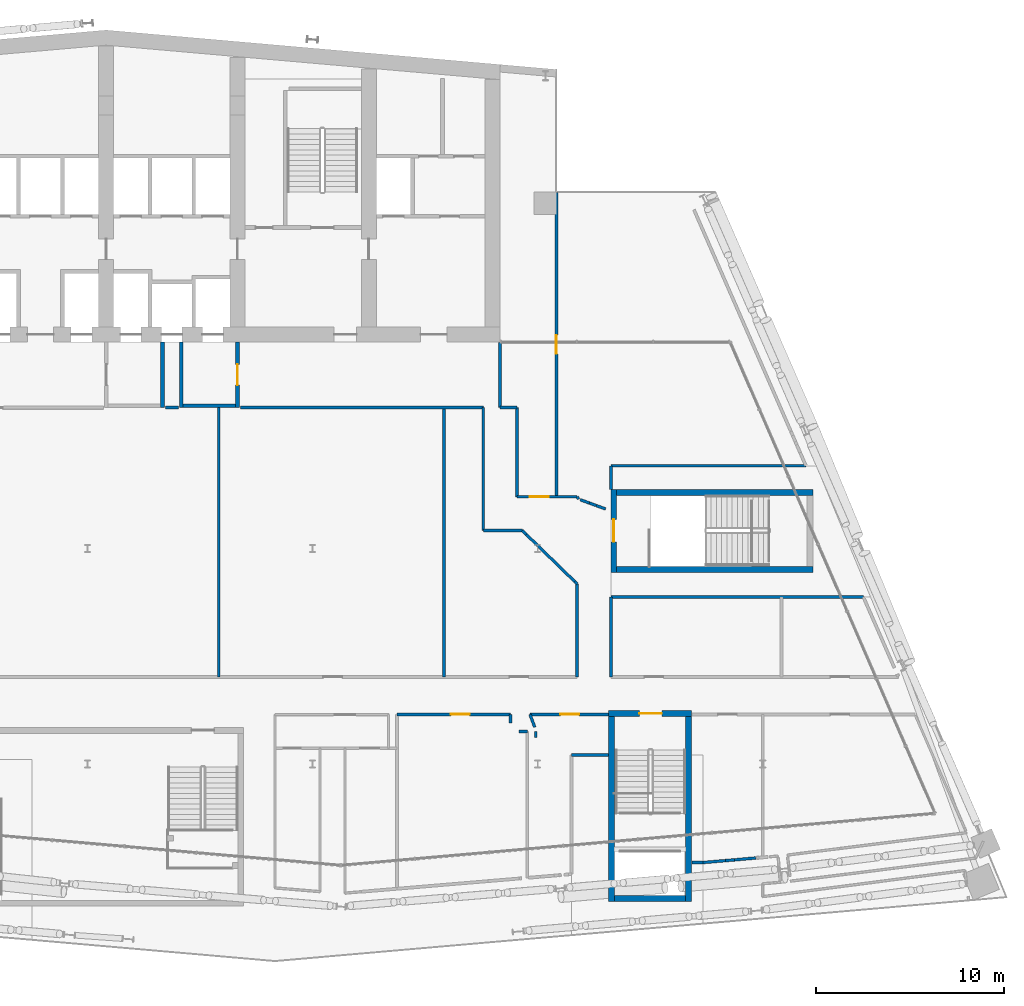
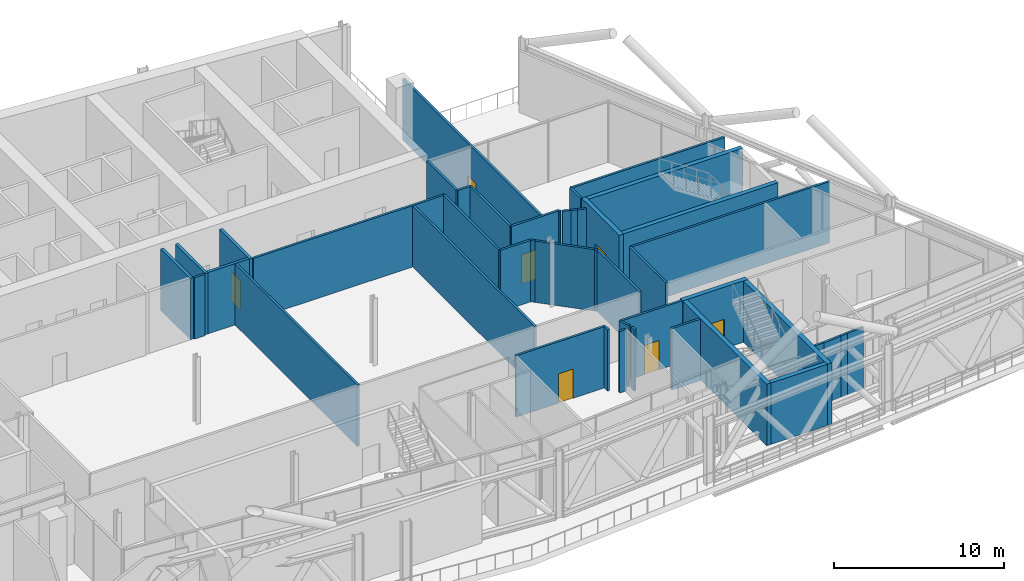
# One storey, part 15 of 35: 45 walls, 7 doors, 7 openings.
"""IFC4 building model written with IfcOpenShell, lengths in metres."""

from ifc_helpers import new_model, si_unit, direction, frame, frame_2d, origin, place, context, subcontext, project, spatial, rectangle, extrude, material, layer, layer_set, type_object, element, fill, save


model = new_model("IFC4")

# Units and contexts
model_context = context("Model", 3, precision=1e-05, world=origin(), true_north=direction((0.0, 1.0)))
body_context = subcontext(model_context, "Body", "Model", "MODEL_VIEW")
ifc_project = project(units=[si_unit("LENGTHUNIT", "METRE"), si_unit("AREAUNIT", "SQUARE_METRE"), si_unit("VOLUMEUNIT", "CUBIC_METRE"), si_unit("PLANEANGLEUNIT", "RADIAN"), si_unit("MASSUNIT", "GRAM", prefix="KILO")], contexts=[model_context])

# Site, building, storey
site_placement = place(None, origin())
site = spatial("IfcSite", under=ifc_project, at=site_placement, CompositionType="ELEMENT")
building_placement = place(site_placement, origin())
building = spatial("IfcBuilding", under=site, at=building_placement, Name="Wharfspan Tower", CompositionType="ELEMENT")
storey_placement = place(building_placement, frame((0.0, 0.0, 202.300049)))
storey = spatial("IfcBuildingStorey", under=building, at=storey_placement, Name="L50", CompositionType="ELEMENT", Elevation=202.300049)

# Walls
ifc_material_1 = material(Name="Concrete C30/37", Category="concrete")
ifc_layer_1 = layer(ifc_material_1, 0.199951)
ifc_layer_set_1 = layer_set([ifc_layer_1], Name="Concrete C30/37")
wall_type_1 = type_object("IfcWallType", Name="Lobby wall 200", PredefinedType="PARTITIONING", material=ifc_layer_set_1)
for number, where, z_axis, x_axis, name in (
    (1, (40.0, 30.5, 0.0), (0.0, 0.0, 1.0), (0.0, 1.0, 0.0), "sw:L50:FLFF1E"),
    (2, (41.0, 30.5, 0.0), (0.0, 0.0, 1.0), (0.0, 1.0, 0.0), "sw:L50:FLFF2W"),
):
    element("IfcWall", number, at=place(storey_placement, frame(where, z_axis=z_axis, x_axis=x_axis)), inside=storey, type_object=wall_type_1, Name=name, PredefinedType="PARTITIONING", context=body_context, shape_type="SweptSolid", body=[
        extrude(rectangle(XDim=3.5, YDim=0.199951, at=frame_2d((1.75, 0.0))), origin(), (0.0, 0.0, 1.0), 4.399902),
    ])

# Wall, opening, door
wall_1_placement = place(storey_placement, frame((44.0, 30.5, 0.0), z_axis=(0.0, 0.0, 1.0), x_axis=(0.0, 1.0, 0.0)))
wall_1 = element("IfcWall", 3, at=wall_1_placement, inside=storey, type_object=wall_type_1, Name="sw:L50:FLFF2E", PredefinedType="PARTITIONING", context=body_context, shape_type="SweptSolid", body=[
    extrude(rectangle(XDim=3.5, YDim=0.199951, at=frame_2d((1.75, 0.0))), origin(), (0.0, 0.0, 1.0), 4.399902),
])
opening_1_placement = place(wall_1_placement, frame((1.199951, 0.0, 0.0)))
opening_1 = element("IfcOpeningElement", 4, at=opening_1_placement, cuts=wall_1, Name="Opening FL.FF2.L50", PredefinedType="OPENING", context=body_context, shape_type="SweptSolid", body=[
    extrude(rectangle(XDim=1.100098, YDim=2.100098, at=frame_2d((0.550049, 1.050049))), frame((0.0, 0.109863, 0.0), z_axis=(0.0, -1.0, 0.0), x_axis=(1.0, 0.0, 0.0)), (0.0, 0.0, 1.0), 0.219971),
])
ifc_material_2 = material(Name="Steel door leaf", Category="steel")
door_type_1 = type_object("IfcDoorType", Name="Firefighting lobby door 1100x2100", OperationType="SINGLE_SWING_LEFT", PredefinedType="DOOR", material=ifc_material_2)
door_1_placement = place(opening_1_placement, origin())
door_1 = element("IfcDoor", 5, at=door_1_placement, inside=storey, type_object=door_type_1, Name="fd:L50:FF2", OperationType="SINGLE_SWING_LEFT", OverallHeight=2.100098, OverallWidth=1.100098, PredefinedType="DOOR", context=body_context, shape_type="SweptSolid", body=[
    extrude(rectangle(XDim=1.100098, YDim=2.100098, at=frame_2d((0.550049, 1.050049))), frame((0.0, 0.024902, 0.0), z_axis=(0.0, -1.0, 0.0), x_axis=(1.0, 0.0, 0.0)), (0.0, 0.0, 1.0), 0.050049),
])
fill(opening_1, door_1)

# Walls
wall_2_placement = place(storey_placement, frame((41.100098, 30.600098, 0.0), z_axis=(0.0, 0.0, 1.0), x_axis=(1.0, 0.0, 0.0)))
element("IfcWall", 6, at=wall_2_placement, inside=storey, type_object=wall_type_1, Name="sw:L50:FLFF2F", PredefinedType="PARTITIONING", context=body_context, shape_type="SweptSolid", body=[
    extrude(rectangle(XDim=2.799805, YDim=0.199951, at=frame_2d((1.399902, 0.0))), origin(), (0.0, 0.0, 1.0), 4.399902),
])
ifc_material_3 = material(Name="Gypsum board on steel studs", Category="steel")
ifc_layer_2 = layer(ifc_material_3, 0.149902)
ifc_layer_set_2 = layer_set([ifc_layer_2], Name="Gypsum board on steel studs")
wall_type_2 = type_object("IfcWallType", Name="Plant room wall 150 EI 120", PredefinedType="PARTITIONING", material=ifc_layer_set_2)
wall_3_placement = place(storey_placement, frame((43.0, 16.14502, 0.0), z_axis=(0.0, 0.0, 1.0), x_axis=(0.0, 1.0, 0.0)))
element("IfcWall", 7, at=wall_3_placement, inside=storey, type_object=wall_type_2, Name="Partition L50.w046", PredefinedType="PARTITIONING", context=body_context, shape_type="SweptSolid", body=[
    extrude(rectangle(XDim=14.35498, YDim=0.149902, at=frame_2d((7.17749, 0.0))), origin(), (0.0, 0.0, 1.0), 4.399902),
])

# Wall, opening, door
wall_4_placement = place(storey_placement, frame((52.5, 14.14502, 0.0), z_axis=(0.0, 0.0, 1.0), x_axis=(1.0, 0.0, 0.0)))
wall_4 = element("IfcWall", 8, at=wall_4_placement, inside=storey, type_object=wall_type_2, Name="Partition L50.w058", PredefinedType="PARTITIONING", context=body_context, shape_type="SweptSolid", body=[
    extrude(rectangle(XDim=6.050049, YDim=0.149902, at=frame_2d((3.024902, 0.0))), origin(), (0.0, 0.0, 1.0), 4.399902),
])
opening_2_placement = place(wall_4_placement, frame((2.870117, 0.0, 0.0)))
opening_2 = element("IfcOpeningElement", 9, at=opening_2_placement, cuts=wall_4, Name="Opening BC-06", PredefinedType="OPENING", context=body_context, shape_type="SweptSolid", body=[
    extrude(rectangle(XDim=1.0, YDim=2.100098, at=frame_2d((0.5, 1.050049))), frame((0.0, 0.084961, 0.0), z_axis=(0.0, -1.0, 0.0), x_axis=(1.0, 0.0, 0.0)), (0.0, 0.0, 1.0), 0.169922),
])
ifc_material_4 = material(Name="Fire-rated timber door leaf in steel frame", Category="steel")
door_type_2 = type_object("IfcDoorType", Name="Door 1000 FD60 Right", OperationType="SINGLE_SWING_RIGHT", PredefinedType="DOOR", material=ifc_material_4)
door_2_placement = place(opening_2_placement, origin())
door_2 = element("IfcDoor", 10, at=door_2_placement, inside=storey, type_object=door_type_2, Name="Door BC-06", OperationType="SINGLE_SWING_RIGHT", OverallHeight=2.100098, OverallWidth=1.0, PredefinedType="DOOR", context=body_context, shape_type="SweptSolid", body=[
    extrude(rectangle(XDim=1.0, YDim=2.100098, at=frame_2d((0.5, 1.050049))), frame((0.0, 0.024902, 0.0), z_axis=(0.0, -1.0, 0.0), x_axis=(1.0, 0.0, 0.0)), (0.0, 0.0, 1.0), 0.050049),
])
fill(opening_2, door_2)

# Walls
wall_5_placement = place(storey_placement, frame((55.0, 16.14502, 0.0), z_axis=(0.0, 0.0, 1.0), x_axis=(0.0, 1.0, 0.0)))
element("IfcWall", 11, at=wall_5_placement, inside=storey, type_object=wall_type_2, Name="Partition L50.w059", PredefinedType="PARTITIONING", context=body_context, shape_type="SweptSolid", body=[
    extrude(rectangle(XDim=14.35498, YDim=0.149902, at=frame_2d((7.17749, 0.0))), origin(), (0.0, 0.0, 1.0), 4.399902),
])
wall_6_placement = place(storey_placement, frame((57.100098, 23.949951, 0.0), z_axis=(0.0, 0.0, 1.0), x_axis=(0.0, 1.0, 0.0)))
element("IfcWall", 12, at=wall_6_placement, inside=storey, type_object=wall_type_2, Name="Partition L50.w060", PredefinedType="PARTITIONING", context=body_context, shape_type="SweptSolid", body=[
    extrude(rectangle(XDim=6.550049, YDim=0.149902, at=frame_2d((3.274902, 0.0))), origin(), (0.0, 0.0, 1.0), 4.399902),
])
wall_7_placement = place(storey_placement, frame((57.100098, 23.949951, 0.0), z_axis=(0.0, 0.0, 1.0), x_axis=(1.0, 0.0, 0.0)))
element("IfcWall", 13, at=wall_7_placement, inside=storey, type_object=wall_type_2, Name="Partition L50.w061", PredefinedType="PARTITIONING", context=body_context, shape_type="SweptSolid", body=[
    extrude(rectangle(XDim=2.079834, YDim=0.149902, at=frame_2d((1.040039, 0.0))), origin(), (0.0, 0.0, 1.0), 4.399902),
])
wall_8_placement = place(storey_placement, frame((58.0, 30.5, 0.0), z_axis=(0.0, 0.0, 1.0), x_axis=(0.0, 1.0, 0.0)))
element("IfcWall", 14, at=wall_8_placement, inside=storey, type_object=wall_type_2, Name="Partition L50.w063", PredefinedType="PARTITIONING", context=body_context, shape_type="SweptSolid", body=[
    extrude(rectangle(XDim=3.47998, YDim=0.149902, at=frame_2d((1.73999, 0.0))), origin(), (0.0, 0.0, 1.0), 4.399902),
])
wall_9_placement = place(storey_placement, frame((58.0, 30.5, 0.0), z_axis=(0.0, 0.0, 1.0), x_axis=(1.0, 0.0, 0.0)))
element("IfcWall", 15, at=wall_9_placement, inside=storey, type_object=wall_type_2, Name="Partition L50.w064", PredefinedType="PARTITIONING", context=body_context, shape_type="SweptSolid", body=[
    extrude(rectangle(XDim=0.899902, YDim=0.149902, at=frame_2d((0.449951, 0.0))), origin(), (0.0, 0.0, 1.0), 4.399902),
])
wall_10_placement = place(storey_placement, frame((58.550049, 13.695068, 0.0), z_axis=(0.0, 0.0, 1.0), x_axis=(0.0, 1.0, 0.0)))
element("IfcWall", 16, at=wall_10_placement, inside=storey, type_object=wall_type_2, Name="Partition L50.w065", PredefinedType="PARTITIONING", context=body_context, shape_type="SweptSolid", body=[
    extrude(rectangle(XDim=0.449951, YDim=0.149902, at=frame_2d((0.225098, 0.0))), origin(), (0.0, 0.0, 1.0), 4.399902),
])
wall_11_placement = place(storey_placement, frame((58.899902, 25.75, 0.0), z_axis=(0.0, 0.0, 1.0), x_axis=(0.0, 1.0, 0.0)))
element("IfcWall", 17, at=wall_11_placement, inside=storey, type_object=wall_type_2, Name="Partition L50.w066", PredefinedType="PARTITIONING", context=body_context, shape_type="SweptSolid", body=[
    extrude(rectangle(XDim=4.75, YDim=0.149902, at=frame_2d((2.375, 0.0))), origin(), (0.0, 0.0, 1.0), 4.399902),
])

# Wall, opening, door
wall_12_placement = place(storey_placement, frame((58.899902, 25.75, 0.0), z_axis=(0.0, 0.0, 1.0), x_axis=(1.0, 0.0, 0.0)))
wall_12 = element("IfcWall", 18, at=wall_12_placement, inside=storey, type_object=wall_type_2, Name="Partition L50.w067", PredefinedType="PARTITIONING", context=body_context, shape_type="SweptSolid", body=[
    extrude(rectangle(XDim=3.205078, YDim=0.149902, at=frame_2d((1.602539, 0.0))), origin(), (0.0, 0.0, 1.0), 4.399902),
])
opening_3_placement = place(wall_12_placement, frame((0.679932, 0.0, 0.0)))
opening_3 = element("IfcOpeningElement", 19, at=opening_3_placement, cuts=wall_12, Name="Opening BC-16", PredefinedType="OPENING", context=body_context, shape_type="SweptSolid", body=[
    extrude(rectangle(XDim=1.0, YDim=2.100098, at=frame_2d((0.5, 1.050049))), frame((0.0, 0.084961, 0.0), z_axis=(0.0, -1.0, 0.0), x_axis=(1.0, 0.0, 0.0)), (0.0, 0.0, 1.0), 0.169922),
])
door_type_3 = type_object("IfcDoorType", Name="Door 1000 FD60 Left", OperationType="SINGLE_SWING_LEFT", PredefinedType="DOOR", material=ifc_material_4)
door_3_placement = place(opening_3_placement, origin())
door_3 = element("IfcDoor", 20, at=door_3_placement, inside=storey, type_object=door_type_3, Name="Door BC-16", OperationType="SINGLE_SWING_LEFT", OverallHeight=2.100098, OverallWidth=1.0, PredefinedType="DOOR", context=body_context, shape_type="SweptSolid", body=[
    extrude(rectangle(XDim=1.0, YDim=2.100098, at=frame_2d((0.5, 1.050049))), frame((0.0, 0.024902, 0.0), z_axis=(0.0, -1.0, 0.0), x_axis=(1.0, 0.0, 0.0)), (0.0, 0.0, 1.0), 0.050049),
])
fill(opening_3, door_3)

# Walls
wall_13_placement = place(storey_placement, frame((59.0, 13.245117, 0.0), z_axis=(0.0, 0.0, 1.0), x_axis=(1.0, 0.0, 0.0)))
element("IfcWall", 21, at=wall_13_placement, inside=storey, type_object=wall_type_2, Name="Partition L50.w068", PredefinedType="PARTITIONING", context=body_context, shape_type="SweptSolid", body=[
    extrude(rectangle(XDim=0.449951, YDim=0.149902, at=frame_2d((0.225098, 0.0))), origin(), (0.0, 0.0, 1.0), 4.399902),
])
wall_14_placement = place(storey_placement, frame((59.39502, 23.73999, 0.0), z_axis=(0.0, 0.0, 1.0), x_axis=(-0.715582, 0.698525, 0.0)))
element("IfcWall", 22, at=wall_14_placement, inside=storey, type_object=wall_type_2, Name="Partition L50.w070", PredefinedType="PARTITIONING", context=body_context, shape_type="SweptSolid", body=[
    extrude(rectangle(XDim=0.300537, YDim=0.149902, at=frame_2d((0.150391, 0.0))), origin(), (0.0, 0.0, 1.0), 4.399902),
])

# Wall, opening, door
wall_15_placement = place(storey_placement, frame((59.590088, 14.14502, 0.0), z_axis=(0.0, 0.0, 1.0), x_axis=(1.0, 0.0, 0.0)))
wall_15 = element("IfcWall", 23, at=wall_15_placement, inside=storey, type_object=wall_type_2, Name="Partition L50.w073", PredefinedType="PARTITIONING", context=body_context, shape_type="SweptSolid", body=[
    extrude(rectangle(XDim=4.17627, YDim=0.149902, at=frame_2d((2.088135, 0.0))), origin(), (0.0, 0.0, 1.0), 4.399902),
])
opening_4_placement = place(wall_15_placement, frame((1.614502, 0.0, 0.0)))
opening_4 = element("IfcOpeningElement", 24, at=opening_4_placement, cuts=wall_15, Name="Opening BC-07", PredefinedType="OPENING", context=body_context, shape_type="SweptSolid", body=[
    extrude(rectangle(XDim=1.0, YDim=2.100098, at=frame_2d((0.5, 1.050049))), frame((0.0, 0.084961, 0.0), z_axis=(0.0, -1.0, 0.0), x_axis=(1.0, 0.0, 0.0)), (0.0, 0.0, 1.0), 0.169922),
])
door_4_placement = place(opening_4_placement, origin())
door_4 = element("IfcDoor", 25, at=door_4_placement, inside=storey, type_object=door_type_2, Name="Door BC-07", OperationType="SINGLE_SWING_RIGHT", OverallHeight=2.100098, OverallWidth=1.0, PredefinedType="DOOR", context=body_context, shape_type="SweptSolid", body=[
    extrude(rectangle(XDim=1.0, YDim=2.100098, at=frame_2d((0.5, 1.050049))), frame((0.0, 0.024902, 0.0), z_axis=(0.0, -1.0, 0.0), x_axis=(1.0, 0.0, 0.0)), (0.0, 0.0, 1.0), 0.050049),
])
fill(opening_4, door_4)

# Walls
wall_16_placement = place(storey_placement, frame((59.844971, 13.465088, 0.0), z_axis=(0.0, 0.0, 1.0), x_axis=(-0.351013, 0.936371, 0.0)))
element("IfcWall", 26, at=wall_16_placement, inside=storey, type_object=wall_type_2, Name="Partition L50.w074", PredefinedType="PARTITIONING", context=body_context, shape_type="SweptSolid", body=[
    extrude(rectangle(XDim=0.726074, YDim=0.149902, at=frame_2d((0.363037, 0.0))), origin(), (0.0, 0.0, 1.0), 4.399902),
])
wall_17_placement = place(storey_placement, frame((59.899902, 12.915039, 0.0), z_axis=(0.0, 0.0, 1.0), x_axis=(0.0, 1.0, 0.0)))
element("IfcWall", 27, at=wall_17_placement, inside=storey, type_object=wall_type_2, Name="Partition L50.w075", PredefinedType="PARTITIONING", context=body_context, shape_type="SweptSolid", body=[
    extrude(rectangle(XDim=0.330078, YDim=0.149902, at=frame_2d((0.165039, 0.0))), origin(), (0.0, 0.0, 1.0), 4.399902),
])

# Wall, opening, door
wall_18_placement = place(storey_placement, frame((61.0, 25.75, 0.0), z_axis=(0.0, 0.0, 1.0), x_axis=(0.0, 1.0, 0.0)))
wall_18 = element("IfcWall", 28, at=wall_18_placement, inside=storey, type_object=wall_type_2, Name="Partition L50.w078", PredefinedType="PARTITIONING", context=body_context, shape_type="SweptSolid", body=[
    extrude(rectangle(XDim=16.22998, YDim=0.149902, at=frame_2d((8.11499, 0.0))), origin(), (0.0, 0.0, 1.0), 4.399902),
])
opening_5_placement = place(wall_18_placement, frame((7.620117, 0.0, 0.0)))
opening_5 = element("IfcOpeningElement", 29, at=opening_5_placement, cuts=wall_18, Name="Opening BC-20", PredefinedType="OPENING", context=body_context, shape_type="SweptSolid", body=[
    extrude(rectangle(XDim=1.0, YDim=2.100098, at=frame_2d((0.5, 1.050049))), frame((0.0, 0.084961, 0.0), z_axis=(0.0, -1.0, 0.0), x_axis=(1.0, 0.0, 0.0)), (0.0, 0.0, 1.0), 0.169922),
])
door_5_placement = place(opening_5_placement, origin())
door_5 = element("IfcDoor", 30, at=door_5_placement, inside=storey, type_object=door_type_2, Name="Door BC-20", OperationType="SINGLE_SWING_RIGHT", OverallHeight=2.100098, OverallWidth=1.0, PredefinedType="DOOR", context=body_context, shape_type="SweptSolid", body=[
    extrude(rectangle(XDim=1.0, YDim=2.100098, at=frame_2d((0.5, 1.050049))), frame((0.0, 0.024902, 0.0), z_axis=(0.0, -1.0, 0.0), x_axis=(1.0, 0.0, 0.0)), (0.0, 0.0, 1.0), 0.050049),
])
fill(opening_5, door_5)

# Walls
wall_19_placement = place(storey_placement, frame((61.810059, 11.985107, 0.0), z_axis=(0.0, 0.0, 1.0), x_axis=(1.0, 0.0, 0.0)))
element("IfcWall", 31, at=wall_19_placement, inside=storey, type_object=wall_type_2, Name="Partition L50.w083", PredefinedType="PARTITIONING", context=body_context, shape_type="SweptSolid", body=[
    extrude(rectangle(XDim=1.956299, YDim=0.149902, at=frame_2d((0.978027, 0.0))), origin(), (0.0, 0.0, 1.0), 4.399902),
])
wall_20_placement = place(storey_placement, frame((61.969971, 21.235107, 0.0), z_axis=(0.0, 0.0, 1.0), x_axis=(-0.716792, 0.697287, 0.0)))
element("IfcWall", 32, at=wall_20_placement, inside=storey, type_object=wall_type_2, Name="Partition L50.w084", PredefinedType="PARTITIONING", context=body_context, shape_type="SweptSolid", body=[
    extrude(rectangle(XDim=3.592285, YDim=0.149902, at=frame_2d((1.796143, 0.0))), origin(), (0.0, 0.0, 1.0), 4.399902),
])
wall_21_placement = place(storey_placement, frame((62.10498, 21.100098, 0.0), z_axis=(0.0, 0.0, 1.0), x_axis=(-0.707107, 0.707107, 0.0)))
element("IfcWall", 33, at=wall_21_placement, inside=storey, type_object=wall_type_2, Name="Partition L50.w085", PredefinedType="PARTITIONING", context=body_context, shape_type="SweptSolid", body=[
    extrude(rectangle(XDim=0.190918, YDim=0.149902, at=frame_2d((0.095459, 0.0))), origin(), (0.0, 0.0, 1.0), 4.399902),
])
wall_22_placement = place(storey_placement, frame((62.10498, 16.14502, 0.0), z_axis=(0.0, 0.0, 1.0), x_axis=(0.0, 1.0, 0.0)))
element("IfcWall", 34, at=wall_22_placement, inside=storey, type_object=wall_type_2, Name="Partition L50.w086", PredefinedType="PARTITIONING", context=body_context, shape_type="SweptSolid", body=[
    extrude(rectangle(XDim=4.955078, YDim=0.149902, at=frame_2d((2.477539, 0.0))), origin(), (0.0, 0.0, 1.0), 4.399902),
])
wall_23_placement = place(storey_placement, frame((62.185059, 25.620117, 0.0), z_axis=(0.0, 0.0, 1.0), x_axis=(-0.524813, 0.851221, 0.0)))
element("IfcWall", 35, at=wall_23_placement, inside=storey, type_object=wall_type_2, Name="Partition L50.w087", PredefinedType="PARTITIONING", context=body_context, shape_type="SweptSolid", body=[
    extrude(rectangle(XDim=0.152588, YDim=0.149902, at=frame_2d((0.076172, 0.0))), origin(), (0.0, 0.0, 1.0), 4.399902),
])
wall_24_placement = place(storey_placement, frame((62.754883, 25.415039, 0.0), z_axis=(0.0, 0.0, 1.0), x_axis=(-0.940583, 0.339576, 0.0)))
element("IfcWall", 36, at=wall_24_placement, inside=storey, type_object=wall_type_2, Name="Partition L50.w088", PredefinedType="PARTITIONING", context=body_context, shape_type="SweptSolid", body=[
    extrude(rectangle(XDim=0.515381, YDim=0.149902, at=frame_2d((0.257812, 0.0))), origin(), (0.0, 0.0, 1.0), 4.399902),
])
wall_25_placement = place(storey_placement, frame((63.120117, 25.280029, 0.0), z_axis=(0.0, 0.0, 1.0), x_axis=(-0.937965, 0.346721, 0.0)))
element("IfcWall", 37, at=wall_25_placement, inside=storey, type_object=wall_type_2, Name="Partition L50.w089", PredefinedType="PARTITIONING", context=body_context, shape_type="SweptSolid", body=[
    extrude(rectangle(XDim=0.389404, YDim=0.149902, at=frame_2d((0.194824, 0.0))), origin(), (0.0, 0.0, 1.0), 4.399902),
])
wall_26_placement = place(storey_placement, frame((63.620117, 25.100098, 0.0), z_axis=(0.0, 0.0, 1.0), x_axis=(-0.940924, 0.338604, 0.0)))
element("IfcWall", 38, at=wall_26_placement, inside=storey, type_object=wall_type_2, Name="Partition L50.w090", PredefinedType="PARTITIONING", context=body_context, shape_type="SweptSolid", body=[
    extrude(rectangle(XDim=0.531494, YDim=0.149902, at=frame_2d((0.265625, 0.0))), origin(), (0.0, 0.0, 1.0), 4.399902),
])
wall_27_placement = place(storey_placement, frame((63.905029, 16.14502, 0.0), z_axis=(0.0, 0.0, 1.0), x_axis=(0.0, 1.0, 0.0)))
element("IfcWall", 39, at=wall_27_placement, inside=storey, type_object=wall_type_2, Name="Partition L50.w091", PredefinedType="PARTITIONING", context=body_context, shape_type="SweptSolid", body=[
    extrude(rectangle(XDim=4.254883, YDim=0.149902, at=frame_2d((2.127441, 0.0))), origin(), (0.0, 0.0, 1.0), 4.399902),
])
wall_28_placement = place(storey_placement, frame((63.905029, 20.399902, 0.0), z_axis=(0.0, 0.0, 1.0), x_axis=(1.0, 0.0, 0.0)))
element("IfcWall", 40, at=wall_28_placement, inside=storey, type_object=wall_type_2, Name="Partition L50.w093", PredefinedType="PARTITIONING", context=body_context, shape_type="SweptSolid", body=[
    extrude(rectangle(XDim=13.459961, YDim=0.149902, at=frame_2d((6.72998, 0.0))), origin(), (0.0, 0.0, 1.0), 4.399902),
])
wall_29_placement = place(storey_placement, frame((63.905029, 26.14502, 0.0), z_axis=(0.0, 0.0, 1.0), x_axis=(0.0, 1.0, 0.0)))
element("IfcWall", 41, at=wall_29_placement, inside=storey, type_object=wall_type_2, Name="Partition L50.w094", PredefinedType="PARTITIONING", context=body_context, shape_type="SweptSolid", body=[
    extrude(rectangle(XDim=1.254883, YDim=0.149902, at=frame_2d((0.627441, 0.0))), origin(), (0.0, 0.0, 1.0), 4.399902),
])
wall_30_placement = place(storey_placement, frame((63.905029, 27.399902, 0.0), z_axis=(0.0, 0.0, 1.0), x_axis=(1.0, 0.0, 0.0)))
element("IfcWall", 42, at=wall_30_placement, inside=storey, type_object=wall_type_2, Name="Partition L50.w095", PredefinedType="PARTITIONING", context=body_context, shape_type="SweptSolid", body=[
    extrude(rectangle(XDim=10.39502, YDim=0.149902, at=frame_2d((5.19751, 0.0))), origin(), (0.0, 0.0, 1.0), 4.399902),
])
wall_31_placement = place(storey_placement, frame((68.213867, 6.25, 0.0), z_axis=(0.0, 0.0, 1.0), x_axis=(1.0, 0.0, 0.0)))
element("IfcWall", 43, at=wall_31_placement, inside=storey, type_object=wall_type_2, Name="Partition L50.w096", PredefinedType="PARTITIONING", context=body_context, shape_type="SweptSolid", body=[
    extrude(rectangle(XDim=0.596191, YDim=0.149902, at=frame_2d((0.298096, 0.0))), origin(), (0.0, 0.0, 1.0), 4.399902),
])
wall_32_placement = place(storey_placement, frame((68.810059, 6.25, 0.0), z_axis=(0.0, 0.0, 1.0), x_axis=(0.996227, 0.086804, 0.0)))
element("IfcWall", 44, at=wall_32_placement, inside=storey, type_object=wall_type_2, Name="Partition L50.w098", PredefinedType="PARTITIONING", context=body_context, shape_type="SweptSolid", body=[
    extrude(rectangle(XDim=1.209473, YDim=0.149902, at=frame_2d((0.604736, 0.0))), origin(), (0.0, 0.0, 1.0), 4.399902),
])
wall_33_placement = place(storey_placement, frame((70.014893, 6.35498, 0.0), z_axis=(0.0, 0.0, 1.0), x_axis=(0.996536, 0.083173, 0.0)))
element("IfcWall", 45, at=wall_33_placement, inside=storey, type_object=wall_type_2, Name="Partition L50.w100", PredefinedType="PARTITIONING", context=body_context, shape_type="SweptSolid", body=[
    extrude(rectangle(XDim=0.475586, YDim=0.149902, at=frame_2d((0.237793, 0.0))), origin(), (0.0, 0.0, 1.0), 4.399902),
])
wall_34_placement = place(storey_placement, frame((70.48877, 6.394531, 0.0), z_axis=(0.0, 0.0, 1.0), x_axis=(0.996196, 0.087119, 0.0)))
element("IfcWall", 46, at=wall_34_placement, inside=storey, type_object=wall_type_2, Name="Partition L50.w101", PredefinedType="PARTITIONING", context=body_context, shape_type="SweptSolid", body=[
    extrude(rectangle(XDim=1.140625, YDim=0.149902, at=frame_2d((0.570312, 0.0))), origin(), (0.0, 0.0, 1.0), 4.399902),
])
wall_35_placement = place(storey_placement, frame((40.149902, 30.5, 0.0), z_axis=(0.0, 0.0, 1.0), x_axis=(1.0, 0.0, 0.0)))
element("IfcWall", 47, at=wall_35_placement, inside=storey, type_object=wall_type_2, Name="Partition L50.w017 (2)", PredefinedType="PARTITIONING", context=body_context, shape_type="SweptSolid", body=[
    extrude(rectangle(XDim=0.700195, YDim=0.149902, at=frame_2d((0.350098, 0.0))), origin(), (0.0, 0.0, 1.0), 4.399902),
])
wall_36_placement = place(storey_placement, frame((44.149902, 30.5, 0.0), z_axis=(0.0, 0.0, 1.0), x_axis=(1.0, 0.0, 0.0)))
element("IfcWall", 48, at=wall_36_placement, inside=storey, type_object=wall_type_2, Name="Partition L50.w017 (3)", PredefinedType="PARTITIONING", context=body_context, shape_type="SweptSolid", body=[
    extrude(rectangle(XDim=12.950195, YDim=0.149902, at=frame_2d((6.475098, 0.0))), origin(), (0.0, 0.0, 1.0), 4.399902),
])

# Wall, opening, door
ifc_material_5 = material(Name="Concrete C40/50", Category="concrete")
ifc_layer_3 = layer(ifc_material_5, 0.300049)
ifc_layer_set_3 = layer_set([ifc_layer_3], Name="Concrete C40/50")
wall_type_3 = type_object("IfcWallType", Name="Stair core wall 300", PredefinedType="SHEAR", material=ifc_layer_set_3)
wall_37_placement = place(storey_placement, frame((63.786377, 14.196289, 0.0), z_axis=(0.0, 0.0, 1.0), x_axis=(1.0, 0.0, 0.0)))
wall_37 = element("IfcWall", 49, at=wall_37_placement, inside=storey, type_object=wall_type_3, Name="ST5 stair enclosure wall L50", PredefinedType="SHEAR", context=body_context, shape_type="SweptSolid", body=[
    extrude(rectangle(XDim=4.407471, YDim=0.300049, at=frame_2d((2.203613, 0.0))), origin(), (0.0, 0.0, 1.0), 4.399902),
])
opening_6_placement = place(wall_37_placement, frame((1.632324, 0.0, 0.0)))
opening_6 = element("IfcOpeningElement", 50, at=opening_6_placement, cuts=wall_37, Name="Opening SD5.L50", PredefinedType="OPENING", context=body_context, shape_type="SweptSolid", body=[
    extrude(rectangle(XDim=1.199951, YDim=2.100098, at=frame_2d((0.600098, 1.050049))), frame((0.0, 0.159912, 0.0), z_axis=(0.0, -1.0, 0.0), x_axis=(1.0, 0.0, 0.0)), (0.0, 0.0, 1.0), 0.320068),
])
door_type_4 = type_object("IfcDoorType", Name="Stair door 1200x2100", OperationType="SINGLE_SWING_LEFT", PredefinedType="DOOR", material=ifc_material_2)
door_6_placement = place(opening_6_placement, origin())
door_6 = element("IfcDoor", 51, at=door_6_placement, inside=storey, type_object=door_type_4, Name="sd:L50:ST5z4", OperationType="SINGLE_SWING_RIGHT", OverallHeight=2.100098, OverallWidth=1.199951, PredefinedType="DOOR", context=body_context, shape_type="SweptSolid", body=[
    extrude(rectangle(XDim=1.199951, YDim=2.100098, at=frame_2d((0.600098, 1.050049))), frame((0.0, 0.024902, 0.0), z_axis=(0.0, -1.0, 0.0), x_axis=(1.0, 0.0, 0.0)), (0.0, 0.0, 1.0), 0.050049),
])
fill(opening_6, door_6)

wall_38_placement = place(storey_placement, frame((64.054688, 21.725098, 0.0), z_axis=(0.0, 0.0, 1.0), x_axis=(0.0, 1.0, 0.0)))
wall_38 = element("IfcWall", 52, at=wall_38_placement, inside=storey, type_object=wall_type_3, Name="ST6 stair enclosure wall L50", PredefinedType="SHEAR", context=body_context, shape_type="SweptSolid", body=[
    extrude(rectangle(XDim=4.399902, YDim=0.300049, at=frame_2d((2.199951, 0.0))), origin(), (0.0, 0.0, 1.0), 4.399902),
])
opening_7_placement = place(wall_38_placement, frame((1.625, 0.0, 0.0)))
opening_7 = element("IfcOpeningElement", 53, at=opening_7_placement, cuts=wall_38, Name="Opening SD6.L50", PredefinedType="OPENING", context=body_context, shape_type="SweptSolid", body=[
    extrude(rectangle(XDim=1.199951, YDim=2.100098, at=frame_2d((0.600098, 1.050049))), frame((0.0, 0.159912, 0.0), z_axis=(0.0, -1.0, 0.0), x_axis=(1.0, 0.0, 0.0)), (0.0, 0.0, 1.0), 0.320068),
])
door_7_placement = place(opening_7_placement, origin())
door_7 = element("IfcDoor", 54, at=door_7_placement, inside=storey, type_object=door_type_4, Name="sd:L50:ST6z4", OperationType="SINGLE_SWING_RIGHT", OverallHeight=2.100098, OverallWidth=1.199951, PredefinedType="DOOR", context=body_context, shape_type="SweptSolid", body=[
    extrude(rectangle(XDim=1.199951, YDim=2.100098, at=frame_2d((0.600098, 1.050049))), frame((0.0, 0.024902, 0.0), z_axis=(0.0, -1.0, 0.0), x_axis=(1.0, 0.0, 0.0)), (0.0, 0.0, 1.0), 0.050049),
])
fill(opening_7, door_7)

# Walls
for number, where, z_axis, x_axis, name in (
    (55, (63.936279, 4.183594, 0.0), (0.0, 0.0, 1.0), (0.0, 1.0, 0.0), "ST5 stair enclosure wall L50"),
    (56, (68.043701, 4.183594, 0.0), (0.0, 0.0, 1.0), (0.0, 1.0, 0.0), "ST5 stair enclosure wall L50"),
):
    element("IfcWall", number, at=place(storey_placement, frame(where, z_axis=z_axis, x_axis=x_axis)), inside=storey, type_object=wall_type_3, Name=name, PredefinedType="SHEAR", context=body_context, shape_type="SweptSolid", body=[
        extrude(rectangle(XDim=9.862549, YDim=0.300049, at=frame_2d((4.931152, 0.0))), origin(), (0.0, 0.0, 1.0), 4.399902),
    ])
wall_39_placement = place(storey_placement, frame((64.086426, 4.33374, 0.0), z_axis=(0.0, 0.0, 1.0), x_axis=(1.0, 0.0, 0.0)))
element("IfcWall", 57, at=wall_39_placement, inside=storey, type_object=wall_type_3, Name="ST5 stair enclosure wall L50", PredefinedType="SHEAR", context=body_context, shape_type="SweptSolid", body=[
    extrude(rectangle(XDim=3.807373, YDim=0.300049, at=frame_2d((1.903809, 0.0))), origin(), (0.0, 0.0, 1.0), 4.399902),
])
for number, where, z_axis, x_axis, name in (
    (58, (64.20459, 21.875, 0.0), (0.0, 0.0, 1.0), (1.0, 0.0, 0.0), "ST6 stair enclosure wall L50"),
    (59, (64.20459, 25.975098, 0.0), (0.0, 0.0, 1.0), (1.0, 0.0, 0.0), "ST6 stair enclosure wall L50"),
):
    element("IfcWall", number, at=place(storey_placement, frame(where, z_axis=z_axis, x_axis=x_axis)), inside=storey, type_object=wall_type_3, Name=name, PredefinedType="SHEAR", context=body_context, shape_type="SweptSolid", body=[
        extrude(rectangle(XDim=10.465088, YDim=0.300049, at=frame_2d((5.232422, 0.0))), origin(), (0.0, 0.0, 1.0), 4.399902),
    ])

save(model, "model.ifc")
